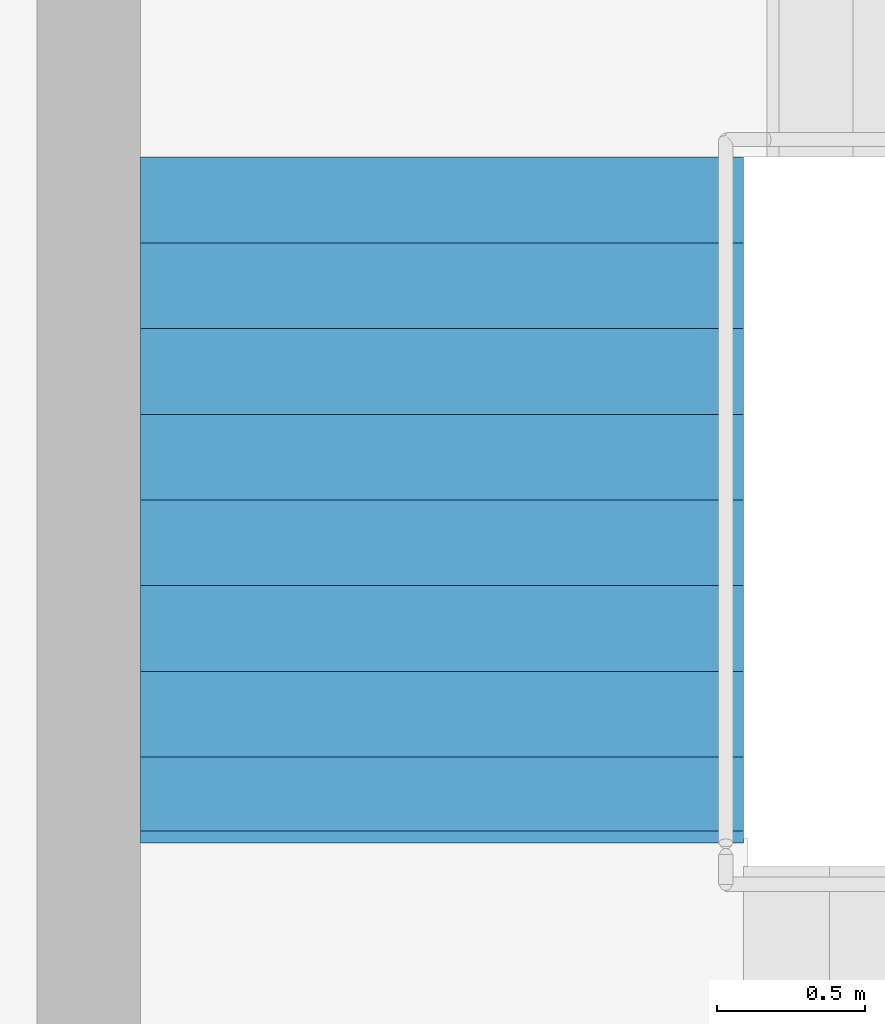
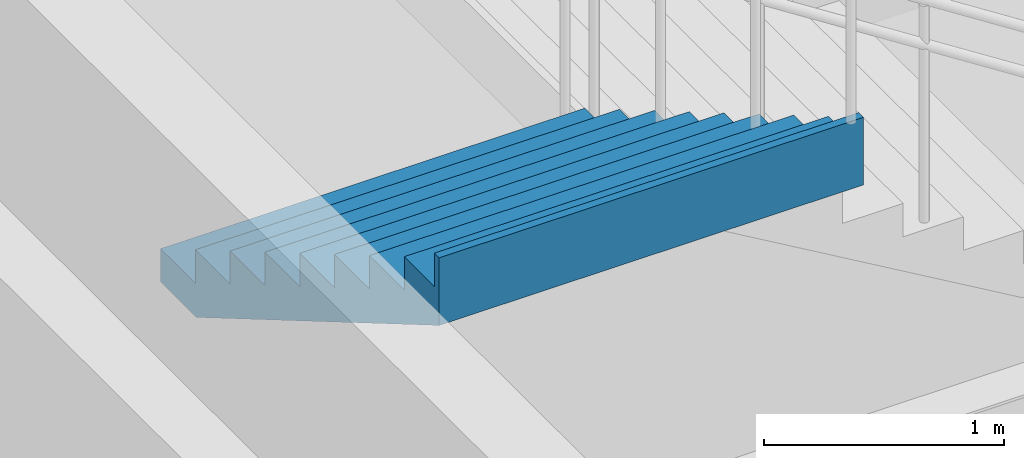
# One storey, part 43 of 58: 1 stair flight, 1 element without a shape of its own.
"""IFC4 building model written with IfcOpenShell, lengths in metres."""

from ifc_helpers import new_model, si_unit, direction, frame, origin, place, context, subcontext, project, spatial, triangles, material, type_object, element, aggregate, save


model = new_model("IFC4")

# Units and contexts
model_context = context("Model", 3, precision=1e-05, world=origin(), true_north=direction((0.0, 1.0)))
body_context = subcontext(model_context, "Body", "Model", "MODEL_VIEW")
ifc_project = project(units=[si_unit("LENGTHUNIT", "METRE"), si_unit("AREAUNIT", "SQUARE_METRE"), si_unit("VOLUMEUNIT", "CUBIC_METRE"), si_unit("PLANEANGLEUNIT", "RADIAN"), si_unit("MASSUNIT", "GRAM", prefix="KILO")], contexts=[model_context])

# Site, building, storey
site_placement = place(None, origin())
site = spatial("IfcSite", under=ifc_project, at=site_placement, CompositionType="ELEMENT")
building_placement = place(site_placement, origin())
building = spatial("IfcBuilding", under=site, at=building_placement, Name="Sillaruma Civic Art Gallery", CompositionType="ELEMENT")
storey_placement = place(building_placement, frame((0.0, 0.0, 22.43994140625)))
storey = spatial("IfcBuildingStorey", under=building, at=storey_placement, Name="L04", CompositionType="ELEMENT", Elevation=22.43994140625)

# Stair, stair flight
ifc_material = material(Name="Concrete H35 (35 MPa)", Category="concrete")
stair_type = type_object("IfcStairType", Name="STR-4F-36", PredefinedType="USERDEFINED", material=ifc_material)
stair_placement = place(storey_placement, origin())
stair = element("IfcStair", 1, at=stair_placement, inside=storey, type_object=stair_type, Name="Protected Exit Stair ST-03 (West Bar South) (L04)", ObjectType="THREE_RETURN_STAIR", PredefinedType="USERDEFINED")
stair_flight_type = type_object("IfcStairFlightType", Name="SFL-STR-9", PredefinedType="STRAIGHT", material=ifc_material)
stair_flight_placement = place(storey_placement, frame((63.780029296875, 35.85009765625, 4.590087890625), z_axis=(0.0, 0.0, 1.0), x_axis=(0.0, -1.0, 0.0)))
stair_flight = element("IfcStairFlight", 2, at=stair_flight_placement, type_object=stair_flight_type, Name="ST-03 flight 4", NumberOfRisers=9, NumberOfTreads=8, PredefinedType="STRAIGHT", RiserHeight=0.17, TreadLength=0.29, context=body_context, shape_type="Tessellation", body=[
    triangles([(0.0, -1.02001953125, 0.0), (0.29, -1.02001953125, 0.0), (0.296482, -1.02001953125, 0.0), (0.58, -1.02001953125, 0.1662), (0.87, -1.02001953125, 0.3362), (1.16, -1.02001953125, 0.5062), (1.45, -1.02001953125, 0.6762), (1.74, -1.02001953125, 0.8462), (2.03, -1.02001953125, 1.0162), (2.280068, -1.02001953125, 1.162792), (2.320068, -1.02001953125, 1.18624), (2.320068, -1.02001953125, 1.53), (2.280068, -1.02001953125, 1.53), (2.280068, -1.02001953125, 1.36), (2.03, -1.02001953125, 1.36), (2.03, -1.02001953125, 1.19), (1.74, -1.02001953125, 1.19), (1.74, -1.02001953125, 1.02), (1.45, -1.02001953125, 1.02), (1.45, -1.02001953125, 0.85), (1.16, -1.02001953125, 0.85), (1.16, -1.02001953125, 0.68), (0.87, -1.02001953125, 0.68), (0.87, -1.02001953125, 0.51), (0.58, -1.02001953125, 0.51), (0.58, -1.02001953125, 0.34), (0.296482, -1.02001953125, 0.34), (0.29, -1.02001953125, 0.34), (0.29, -1.02001953125, 0.17), (0.0, -1.02001953125, 0.17), (0.0, -0.05, 0.0), (0.29, -0.05, 0.0), (0.296482, -0.05, 0.0), (0.58, -0.05, 0.1662), (0.87, -0.05, 0.3362), (1.16, -0.05, 0.5062), (1.45, -0.05, 0.6762), (1.74, -0.05, 0.8462), (2.03, -0.05, 1.0162), (2.280068, -0.05, 1.162792), (2.320068, -0.05, 1.18624), (2.320068, -0.05, 1.53), (2.280068, -0.05, 1.53), (2.280068, -0.05, 1.36), (2.03, -0.05, 1.36), (2.03, -0.05, 1.19), (1.74, -0.05, 1.19), (1.74, -0.05, 1.02), (1.45, -0.05, 1.02), (1.45, -0.05, 0.85), (1.16, -0.05, 0.85), (1.16, -0.05, 0.68), (0.87, -0.05, 0.68), (0.87, -0.05, 0.51), (0.58, -0.05, 0.51), (0.58, -0.05, 0.34), (0.296482, -0.05, 0.34), (0.29, -0.05, 0.34), (0.29, -0.05, 0.17), (0.0, -0.05, 0.17), (0.0, -0.0375, 0.0), (0.29, -0.0375, 0.0), (0.296482, -0.0375, 0.0), (0.58, -0.0375, 0.1662), (0.87, -0.0375, 0.3362), (1.16, -0.0375, 0.5062), (1.45, -0.0375, 0.6762), (1.74, -0.0375, 0.8462), (2.03, -0.0375, 1.0162), (2.280068, -0.0375, 1.162792), (2.320068, -0.0375, 1.18624), (2.320068, -0.0375, 1.53), (2.280068, -0.0375, 1.53), (2.280068, -0.0375, 1.36), (2.03, -0.0375, 1.36), (2.03, -0.0375, 1.19), (1.74, -0.0375, 1.19), (1.74, -0.0375, 1.02), (1.45, -0.0375, 1.02), (1.45, -0.0375, 0.85), (1.16, -0.0375, 0.85), (1.16, -0.0375, 0.68), (0.87, -0.0375, 0.68), (0.87, -0.0375, 0.51), (0.58, -0.0375, 0.51), (0.58, -0.0375, 0.34), (0.296482, -0.0375, 0.34), (0.29, -0.0375, 0.34), (0.29, -0.0375, 0.17), (0.0, -0.0375, 0.17), (0.0, -0.025, 0.0), (0.29, -0.025, 0.0), (0.296482, -0.025, 0.0), (0.58, -0.025, 0.1662), (0.87, -0.025, 0.3362), (1.16, -0.025, 0.5062), (1.45, -0.025, 0.6762), (1.74, -0.025, 0.8462), (2.03, -0.025, 1.0162), (2.280068, -0.025, 1.162792), (2.320068, -0.025, 1.18624), (2.320068, -0.025, 1.53), (2.280068, -0.025, 1.53), (2.280068, -0.025, 1.36), (2.03, -0.025, 1.36), (2.03, -0.025, 1.19), (1.74, -0.025, 1.19), (1.74, -0.025, 1.02), (1.45, -0.025, 1.02), (1.45, -0.025, 0.85), (1.16, -0.025, 0.85), (1.16, -0.025, 0.68), (0.87, -0.025, 0.68), (0.87, -0.025, 0.51), (0.58, -0.025, 0.51), (0.58, -0.025, 0.34), (0.296482, -0.025, 0.34), (0.29, -0.025, 0.34), (0.29, -0.025, 0.17), (0.0, -0.025, 0.17), (0.0, -0.0125, 0.0), (0.29, -0.0125, 0.0), (0.296482, -0.0125, 0.0), (0.58, -0.0125, 0.1662), (0.87, -0.0125, 0.3362), (1.16, -0.0125, 0.5062), (1.45, -0.0125, 0.6762), (1.74, -0.0125, 0.8462), (2.03, -0.0125, 1.0162), (2.280068, -0.0125, 1.162792), (2.320068, -0.0125, 1.18624), (2.320068, -0.0125, 1.53), (2.280068, -0.0125, 1.53), (2.280068, -0.0125, 1.36), (2.03, -0.0125, 1.36), (2.03, -0.0125, 1.19), (1.74, -0.0125, 1.19), (1.74, -0.0125, 1.02), (1.45, -0.0125, 1.02), (1.45, -0.0125, 0.85), (1.16, -0.0125, 0.85), (1.16, -0.0125, 0.68), (0.87, -0.0125, 0.68), (0.87, -0.0125, 0.51), (0.58, -0.0125, 0.51), (0.58, -0.0125, 0.34), (0.296482, -0.0125, 0.34), (0.29, -0.0125, 0.34), (0.29, -0.0125, 0.17), (0.0, -0.0125, 0.17), (0.0, 0.0, 0.0), (0.29, 0.0, 0.0), (0.296482, 0.0, 0.0), (0.58, 0.0, 0.1662), (0.87, 0.0, 0.3362), (1.16, 0.0, 0.5062), (1.45, 0.0, 0.6762), (1.74, 0.0, 0.8462), (2.03, 0.0, 1.0162), (2.280068, 0.0, 1.162792), (2.320068, 0.0, 1.18624), (2.320068, 0.0, 1.53), (2.280068, 0.0, 1.53), (2.280068, 0.0, 1.36), (2.03, 0.0, 1.36), (2.03, 0.0, 1.19), (1.74, 0.0, 1.19), (1.74, 0.0, 1.02), (1.45, 0.0, 1.02), (1.45, 0.0, 0.85), (1.16, 0.0, 0.85), (1.16, 0.0, 0.68), (0.87, 0.0, 0.68), (0.87, 0.0, 0.51), (0.58, 0.0, 0.51), (0.58, 0.0, 0.34), (0.296482, 0.0, 0.34), (0.29, 0.0, 0.34), (0.29, 0.0, 0.17), (0.0, 0.0, 0.17), (0.0, 0.0125, 0.0), (0.29, 0.0125, 0.0), (0.296482, 0.0125, 0.0), (0.58, 0.0125, 0.1662), (0.87, 0.0125, 0.3362), (1.16, 0.0125, 0.5062), (1.45, 0.0125, 0.6762), (1.74, 0.0125, 0.8462), (2.03, 0.0125, 1.0162), (2.280068, 0.0125, 1.162792), (2.320068, 0.0125, 1.18624), (2.320068, 0.0125, 1.53), (2.280068, 0.0125, 1.53), (2.280068, 0.0125, 1.36), (2.03, 0.0125, 1.36), (2.03, 0.0125, 1.19), (1.74, 0.0125, 1.19), (1.74, 0.0125, 1.02), (1.45, 0.0125, 1.02), (1.45, 0.0125, 0.85), (1.16, 0.0125, 0.85), (1.16, 0.0125, 0.68), (0.87, 0.0125, 0.68), (0.87, 0.0125, 0.51), (0.58, 0.0125, 0.51), (0.58, 0.0125, 0.34), (0.296482, 0.0125, 0.34), (0.29, 0.0125, 0.34), (0.29, 0.0125, 0.17), (0.0, 0.0125, 0.17), (0.0, 0.025, 0.0), (0.29, 0.025, 0.0), (0.296482, 0.025, 0.0), (0.58, 0.025, 0.1662), (0.87, 0.025, 0.3362), (1.16, 0.025, 0.5062), (1.45, 0.025, 0.6762), (1.74, 0.025, 0.8462), (2.03, 0.025, 1.0162), (2.280068, 0.025, 1.162792), (2.320068, 0.025, 1.18624), (2.320068, 0.025, 1.53), (2.280068, 0.025, 1.53), (2.280068, 0.025, 1.36), (2.03, 0.025, 1.36), (2.03, 0.025, 1.19), (1.74, 0.025, 1.19), (1.74, 0.025, 1.02), (1.45, 0.025, 1.02), (1.45, 0.025, 0.85), (1.16, 0.025, 0.85), (1.16, 0.025, 0.68), (0.87, 0.025, 0.68), (0.87, 0.025, 0.51), (0.58, 0.025, 0.51), (0.58, 0.025, 0.34), (0.296482, 0.025, 0.34), (0.29, 0.025, 0.34), (0.29, 0.025, 0.17), (0.0, 0.025, 0.17), (0.0, 0.0375, 0.0), (0.29, 0.0375, 0.0), (0.296482, 0.0375, 0.0), (0.58, 0.0375, 0.1662), (0.87, 0.0375, 0.3362), (1.16, 0.0375, 0.5062), (1.45, 0.0375, 0.6762), (1.74, 0.0375, 0.8462), (2.03, 0.0375, 1.0162), (2.280068, 0.0375, 1.162792), (2.320068, 0.0375, 1.18624), (2.320068, 0.0375, 1.53), (2.280068, 0.0375, 1.53), (2.280068, 0.0375, 1.36), (2.03, 0.0375, 1.36), (2.03, 0.0375, 1.19), (1.74, 0.0375, 1.19), (1.74, 0.0375, 1.02), (1.45, 0.0375, 1.02), (1.45, 0.0375, 0.85), (1.16, 0.0375, 0.85), (1.16, 0.0375, 0.68), (0.87, 0.0375, 0.68), (0.87, 0.0375, 0.51), (0.58, 0.0375, 0.51), (0.58, 0.0375, 0.34), (0.296482, 0.0375, 0.34), (0.29, 0.0375, 0.34), (0.29, 0.0375, 0.17), (0.0, 0.0375, 0.17), (0.0, 0.05, 0.0), (0.29, 0.05, 0.0), (0.296482, 0.05, 0.0), (0.58, 0.05, 0.1662), (0.87, 0.05, 0.3362), (1.16, 0.05, 0.5062), (1.45, 0.05, 0.6762), (1.74, 0.05, 0.8462), (2.03, 0.05, 1.0162), (2.280068, 0.05, 1.162792), (2.320068, 0.05, 1.18624), (2.320068, 0.05, 1.53), (2.280068, 0.05, 1.53), (2.280068, 0.05, 1.36), (2.03, 0.05, 1.36), (2.03, 0.05, 1.19), (1.74, 0.05, 1.19), (1.74, 0.05, 1.02), (1.45, 0.05, 1.02), (1.45, 0.05, 0.85), (1.16, 0.05, 0.85), (1.16, 0.05, 0.68), (0.87, 0.05, 0.68), (0.87, 0.05, 0.51), (0.58, 0.05, 0.51), (0.58, 0.05, 0.34), (0.296482, 0.05, 0.34), (0.29, 0.05, 0.34), (0.29, 0.05, 0.17), (0.0, 0.05, 0.17), (0.0, 1.02001953125, 0.0), (0.29, 1.02001953125, 0.0), (0.296482, 1.02001953125, 0.0), (0.58, 1.02001953125, 0.1662), (0.87, 1.02001953125, 0.3362), (1.16, 1.02001953125, 0.5062), (1.45, 1.02001953125, 0.6762), (1.74, 1.02001953125, 0.8462), (2.03, 1.02001953125, 1.0162), (2.280068, 1.02001953125, 1.162792), (2.320068, 1.02001953125, 1.18624), (2.320068, 1.02001953125, 1.53), (2.280068, 1.02001953125, 1.53), (2.280068, 1.02001953125, 1.36), (2.03, 1.02001953125, 1.36), (2.03, 1.02001953125, 1.19), (1.74, 1.02001953125, 1.19), (1.74, 1.02001953125, 1.02), (1.45, 1.02001953125, 1.02), (1.45, 1.02001953125, 0.85), (1.16, 1.02001953125, 0.85), (1.16, 1.02001953125, 0.68), (0.87, 1.02001953125, 0.68), (0.87, 1.02001953125, 0.51), (0.58, 1.02001953125, 0.51), (0.58, 1.02001953125, 0.34), (0.296482, 1.02001953125, 0.34), (0.29, 1.02001953125, 0.34), (0.29, 1.02001953125, 0.17), (0.0, 1.02001953125, 0.17)], [[1, 2, 29], [1, 29, 30], [2, 3, 27], [2, 27, 29], [29, 27, 28], [3, 4, 26], [3, 26, 27], [4, 5, 24], [4, 24, 26], [26, 24, 25], [5, 6, 22], [5, 22, 24], [24, 22, 23], [6, 7, 20], [6, 20, 22], [22, 20, 21], [7, 8, 18], [7, 18, 20], [20, 18, 19], [8, 9, 16], [8, 16, 18], [18, 16, 17], [9, 10, 14], [9, 14, 16], [16, 14, 15], [10, 11, 12], [10, 12, 14], [14, 12, 13], [329, 302, 301], [330, 329, 301], [327, 303, 302], [329, 327, 302], [328, 327, 329], [326, 304, 303], [327, 326, 303], [324, 305, 304], [326, 324, 304], [325, 324, 326], [322, 306, 305], [324, 322, 305], [323, 322, 324], [320, 307, 306], [322, 320, 306], [321, 320, 322], [318, 308, 307], [320, 318, 307], [319, 318, 320], [316, 309, 308], [318, 316, 308], [317, 316, 318], [314, 310, 309], [316, 314, 309], [315, 314, 316], [312, 311, 310], [314, 312, 310], [313, 312, 314], [2, 1, 31], [2, 31, 32], [3, 2, 32], [3, 32, 33], [4, 3, 33], [4, 33, 34], [5, 4, 34], [5, 34, 35], [6, 5, 35], [6, 35, 36], [7, 6, 36], [7, 36, 37], [8, 7, 37], [8, 37, 38], [9, 8, 38], [9, 38, 39], [10, 9, 39], [10, 39, 40], [11, 10, 40], [11, 40, 41], [12, 11, 41], [12, 41, 42], [13, 12, 42], [13, 42, 43], [14, 13, 43], [14, 43, 44], [15, 14, 44], [15, 44, 45], [16, 15, 45], [16, 45, 46], [17, 16, 46], [17, 46, 47], [18, 17, 47], [18, 47, 48], [19, 18, 48], [19, 48, 49], [20, 19, 49], [20, 49, 50], [21, 20, 50], [21, 50, 51], [22, 21, 51], [22, 51, 52], [23, 22, 52], [23, 52, 53], [24, 23, 53], [24, 53, 54], [25, 24, 54], [25, 54, 55], [26, 25, 55], [26, 55, 56], [27, 26, 56], [27, 56, 57], [28, 27, 57], [28, 57, 58], [29, 28, 58], [29, 58, 59], [30, 29, 59], [30, 59, 60], [1, 30, 60], [1, 60, 31], [32, 31, 61], [32, 61, 62], [33, 32, 62], [33, 62, 63], [34, 33, 63], [34, 63, 64], [35, 34, 64], [35, 64, 65], [36, 35, 65], [36, 65, 66], [37, 36, 66], [37, 66, 67], [38, 37, 67], [38, 67, 68], [39, 38, 68], [39, 68, 69], [40, 39, 69], [40, 69, 70], [41, 40, 70], [41, 70, 71], [42, 41, 71], [42, 71, 72], [43, 42, 72], [43, 72, 73], [44, 43, 73], [44, 73, 74], [45, 44, 74], [45, 74, 75], [46, 45, 75], [46, 75, 76], [47, 46, 76], [47, 76, 77], [48, 47, 77], [48, 77, 78], [49, 48, 78], [49, 78, 79], [50, 49, 79], [50, 79, 80], [51, 50, 80], [51, 80, 81], [52, 51, 81], [52, 81, 82], [53, 52, 82], [53, 82, 83], [54, 53, 83], [54, 83, 84], [55, 54, 84], [55, 84, 85], [56, 55, 85], [56, 85, 86], [57, 56, 86], [57, 86, 87], [58, 57, 87], [58, 87, 88], [59, 58, 88], [59, 88, 89], [60, 59, 89], [60, 89, 90], [31, 60, 90], [31, 90, 61], [62, 61, 91], [62, 91, 92], [63, 62, 92], [63, 92, 93], [64, 63, 93], [64, 93, 94], [65, 64, 94], [65, 94, 95], [66, 65, 95], [66, 95, 96], [67, 66, 96], [67, 96, 97], [68, 67, 97], [68, 97, 98], [69, 68, 98], [69, 98, 99], [70, 69, 99], [70, 99, 100], [71, 70, 100], [71, 100, 101], [72, 71, 101], [72, 101, 102], [73, 72, 102], [73, 102, 103], [74, 73, 103], [74, 103, 104], [75, 74, 104], [75, 104, 105], [76, 75, 105], [76, 105, 106], [77, 76, 106], [77, 106, 107], [78, 77, 107], [78, 107, 108], [79, 78, 108], [79, 108, 109], [80, 79, 109], [80, 109, 110], [81, 80, 110], [81, 110, 111], [82, 81, 111], [82, 111, 112], [83, 82, 112], [83, 112, 113], [84, 83, 113], [84, 113, 114], [85, 84, 114], [85, 114, 115], [86, 85, 115], [86, 115, 116], [87, 86, 116], [87, 116, 117], [88, 87, 117], [88, 117, 118], [89, 88, 118], [89, 118, 119], [90, 89, 119], [90, 119, 120], [61, 90, 120], [61, 120, 91], [92, 91, 121], [92, 121, 122], [93, 92, 122], [93, 122, 123], [94, 93, 123], [94, 123, 124], [95, 94, 124], [95, 124, 125], [96, 95, 125], [96, 125, 126], [97, 96, 126], [97, 126, 127], [98, 97, 127], [98, 127, 128], [99, 98, 128], [99, 128, 129], [100, 99, 129], [100, 129, 130], [101, 100, 130], [101, 130, 131], [102, 101, 131], [102, 131, 132], [103, 102, 132], [103, 132, 133], [104, 103, 133], [104, 133, 134], [105, 104, 134], [105, 134, 135], [106, 105, 135], [106, 135, 136], [107, 106, 136], [107, 136, 137], [108, 107, 137], [108, 137, 138], [109, 108, 138], [109, 138, 139], [110, 109, 139], [110, 139, 140], [111, 110, 140], [111, 140, 141], [112, 111, 141], [112, 141, 142], [113, 112, 142], [113, 142, 143], [114, 113, 143], [114, 143, 144], [115, 114, 144], [115, 144, 145], [116, 115, 145], [116, 145, 146], [117, 116, 146], [117, 146, 147], [118, 117, 147], [118, 147, 148], [119, 118, 148], [119, 148, 149], [120, 119, 149], [120, 149, 150], [91, 120, 150], [91, 150, 121], [122, 121, 151], [122, 151, 152], [123, 122, 152], [123, 152, 153], [124, 123, 153], [124, 153, 154], [125, 124, 154], [125, 154, 155], [126, 125, 155], [126, 155, 156], [127, 126, 156], [127, 156, 157], [128, 127, 157], [128, 157, 158], [129, 128, 158], [129, 158, 159], [130, 129, 159], [130, 159, 160], [131, 130, 160], [131, 160, 161], [132, 131, 161], [132, 161, 162], [133, 132, 162], [133, 162, 163], [134, 133, 163], [134, 163, 164], [135, 134, 164], [135, 164, 165], [136, 135, 165], [136, 165, 166], [137, 136, 166], [137, 166, 167], [138, 137, 167], [138, 167, 168], [139, 138, 168], [139, 168, 169], [140, 139, 169], [140, 169, 170], [141, 140, 170], [141, 170, 171], [142, 141, 171], [142, 171, 172], [143, 142, 172], [143, 172, 173], [144, 143, 173], [144, 173, 174], [145, 144, 174], [145, 174, 175], [146, 145, 175], [146, 175, 176], [147, 146, 176], [147, 176, 177], [148, 147, 177], [148, 177, 178], [149, 148, 178], [149, 178, 179], [150, 149, 179], [150, 179, 180], [121, 150, 180], [121, 180, 151], [152, 151, 181], [152, 181, 182], [153, 152, 182], [153, 182, 183], [154, 153, 183], [154, 183, 184], [155, 154, 184], [155, 184, 185], [156, 155, 185], [156, 185, 186], [157, 156, 186], [157, 186, 187], [158, 157, 187], [158, 187, 188], [159, 158, 188], [159, 188, 189], [160, 159, 189], [160, 189, 190], [161, 160, 190], [161, 190, 191], [162, 161, 191], [162, 191, 192], [163, 162, 192], [163, 192, 193], [164, 163, 193], [164, 193, 194], [165, 164, 194], [165, 194, 195], [166, 165, 195], [166, 195, 196], [167, 166, 196], [167, 196, 197], [168, 167, 197], [168, 197, 198], [169, 168, 198], [169, 198, 199], [170, 169, 199], [170, 199, 200], [171, 170, 200], [171, 200, 201], [172, 171, 201], [172, 201, 202], [173, 172, 202], [173, 202, 203], [174, 173, 203], [174, 203, 204], [175, 174, 204], [175, 204, 205], [176, 175, 205], [176, 205, 206], [177, 176, 206], [177, 206, 207], [178, 177, 207], [178, 207, 208], [179, 178, 208], [179, 208, 209], [180, 179, 209], [180, 209, 210], [151, 180, 210], [151, 210, 181], [182, 181, 211], [182, 211, 212], [183, 182, 212], [183, 212, 213], [184, 183, 213], [184, 213, 214], [185, 184, 214], [185, 214, 215], [186, 185, 215], [186, 215, 216], [187, 186, 216], [187, 216, 217], [188, 187, 217], [188, 217, 218], [189, 188, 218], [189, 218, 219], [190, 189, 219], [190, 219, 220], [191, 190, 220], [191, 220, 221], [192, 191, 221], [192, 221, 222], [193, 192, 222], [193, 222, 223], [194, 193, 223], [194, 223, 224], [195, 194, 224], [195, 224, 225], [196, 195, 225], [196, 225, 226], [197, 196, 226], [197, 226, 227], [198, 197, 227], [198, 227, 228], [199, 198, 228], [199, 228, 229], [200, 199, 229], [200, 229, 230], [201, 200, 230], [201, 230, 231], [202, 201, 231], [202, 231, 232], [203, 202, 232], [203, 232, 233], [204, 203, 233], [204, 233, 234], [205, 204, 234], [205, 234, 235], [206, 205, 235], [206, 235, 236], [207, 206, 236], [207, 236, 237], [208, 207, 237], [208, 237, 238], [209, 208, 238], [209, 238, 239], [210, 209, 239], [210, 239, 240], [181, 210, 240], [181, 240, 211], [212, 211, 241], [212, 241, 242], [213, 212, 242], [213, 242, 243], [214, 213, 243], [214, 243, 244], [215, 214, 244], [215, 244, 245], [216, 215, 245], [216, 245, 246], [217, 216, 246], [217, 246, 247], [218, 217, 247], [218, 247, 248], [219, 218, 248], [219, 248, 249], [220, 219, 249], [220, 249, 250], [221, 220, 250], [221, 250, 251], [222, 221, 251], [222, 251, 252], [223, 222, 252], [223, 252, 253], [224, 223, 253], [224, 253, 254], [225, 224, 254], [225, 254, 255], [226, 225, 255], [226, 255, 256], [227, 226, 256], [227, 256, 257], [228, 227, 257], [228, 257, 258], [229, 228, 258], [229, 258, 259], [230, 229, 259], [230, 259, 260], [231, 230, 260], [231, 260, 261], [232, 231, 261], [232, 261, 262], [233, 232, 262], [233, 262, 263], [234, 233, 263], [234, 263, 264], [235, 234, 264], [235, 264, 265], [236, 235, 265], [236, 265, 266], [237, 236, 266], [237, 266, 267], [238, 237, 267], [238, 267, 268], [239, 238, 268], [239, 268, 269], [240, 239, 269], [240, 269, 270], [211, 240, 270], [211, 270, 241], [242, 241, 271], [242, 271, 272], [243, 242, 272], [243, 272, 273], [244, 243, 273], [244, 273, 274], [245, 244, 274], [245, 274, 275], [246, 245, 275], [246, 275, 276], [247, 246, 276], [247, 276, 277], [248, 247, 277], [248, 277, 278], [249, 248, 278], [249, 278, 279], [250, 249, 279], [250, 279, 280], [251, 250, 280], [251, 280, 281], [252, 251, 281], [252, 281, 282], [253, 252, 282], [253, 282, 283], [254, 253, 283], [254, 283, 284], [255, 254, 284], [255, 284, 285], [256, 255, 285], [256, 285, 286], [257, 256, 286], [257, 286, 287], [258, 257, 287], [258, 287, 288], [259, 258, 288], [259, 288, 289], [260, 259, 289], [260, 289, 290], [261, 260, 290], [261, 290, 291], [262, 261, 291], [262, 291, 292], [263, 262, 292], [263, 292, 293], [264, 263, 293], [264, 293, 294], [265, 264, 294], [265, 294, 295], [266, 265, 295], [266, 295, 296], [267, 266, 296], [267, 296, 297], [268, 267, 297], [268, 297, 298], [269, 268, 298], [269, 298, 299], [270, 269, 299], [270, 299, 300], [241, 270, 300], [241, 300, 271], [272, 271, 301], [272, 301, 302], [273, 272, 302], [273, 302, 303], [274, 273, 303], [274, 303, 304], [275, 274, 304], [275, 304, 305], [276, 275, 305], [276, 305, 306], [277, 276, 306], [277, 306, 307], [278, 277, 307], [278, 307, 308], [279, 278, 308], [279, 308, 309], [280, 279, 309], [280, 309, 310], [281, 280, 310], [281, 310, 311], [282, 281, 311], [282, 311, 312], [283, 282, 312], [283, 312, 313], [284, 283, 313], [284, 313, 314], [285, 284, 314], [285, 314, 315], [286, 285, 315], [286, 315, 316], [287, 286, 316], [287, 316, 317], [288, 287, 317], [288, 317, 318], [289, 288, 318], [289, 318, 319], [290, 289, 319], [290, 319, 320], [291, 290, 320], [291, 320, 321], [292, 291, 321], [292, 321, 322], [293, 292, 322], [293, 322, 323], [294, 293, 323], [294, 323, 324], [295, 294, 324], [295, 324, 325], [296, 295, 325], [296, 325, 326], [297, 296, 326], [297, 326, 327], [298, 297, 327], [298, 327, 328], [299, 298, 328], [299, 328, 329], [300, 299, 329], [300, 329, 330], [271, 300, 330], [271, 330, 301]], closed=True),
])
aggregate(stair, [stair_flight])

save(model, "model.ifc")
